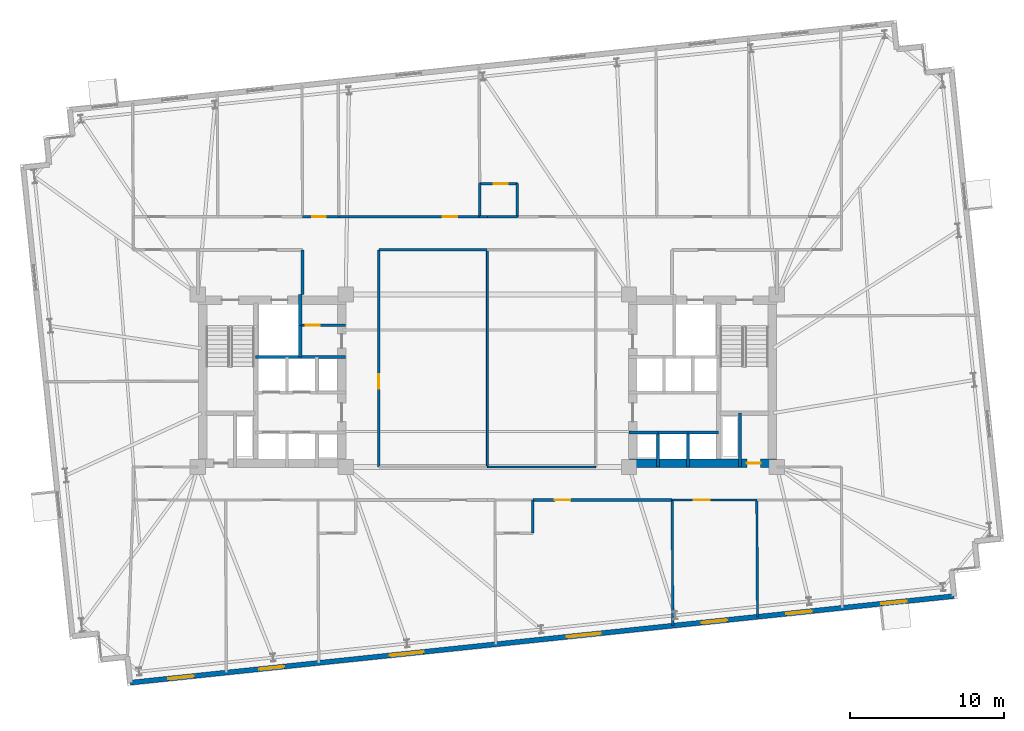
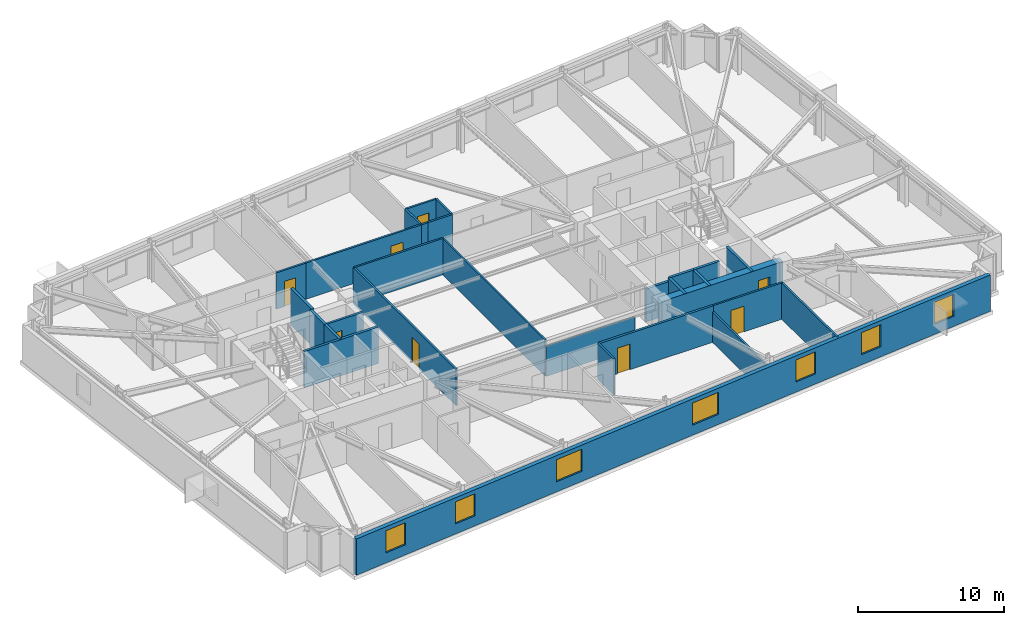
# One storey, part 13 of 17: 29 walls, 8 doors, 7 windows, 15 openings.
"""IFC4 building model written with IfcOpenShell, lengths in metres."""

import ifcopenshell
import ifcopenshell.guid

model = None  # the IFC model being written
_history = None  # IfcOwnerHistory: only IFC2X3 demands one
_inside = {}  # id of a spatial element -> (the spatial element, [elements in it])
_under = {}  # id of a project, library or spatial element -> (it, [spatial elements below it])
_declared = {}  # id of a project -> (the project, [libraries it declares])
_typed = {}  # id of a type object -> (the type object, [elements of that type])
_made_of = {}  # id of a material, layer set ... -> (it, [elements and type objects made of it])


def new_model(schema):
    """Start an empty IFC model of exactly this schema.

    Asked for "IFC4X3", IfcOpenShell would pick the latest addendum, in which some entities
    have other attributes; the version numbers below select the first issue.
    IFC2X3 requires an IfcOwnerHistory on every rooted entity: one is made here for all.
    """
    global model, _history
    if schema == "IFC4X3":
        model = ifcopenshell.file(schema_version=(4, 3, 0, 0))
    else:
        model = ifcopenshell.file(schema=schema)
    _inside.clear()
    _under.clear()
    _declared.clear()
    _typed.clear()
    _made_of.clear()
    _history = None
    if model.schema == "IFC2X3":
        org = make("IfcOrganization", Name="unknown")
        user = make(
            "IfcPersonAndOrganization",
            ThePerson=make("IfcPerson", FamilyName="unknown"),
            TheOrganization=org,
        )
        app = make(
            "IfcApplication",
            ApplicationDeveloper=org,
            Version="unknown",
            ApplicationFullName="unknown",
            ApplicationIdentifier="unknown",
        )
        _history = make(
            "IfcOwnerHistory",
            OwningUser=user,
            OwningApplication=app,
            ChangeAction="ADDED",
            CreationDate=0,
        )
    return model


def make(cls, **values):
    """One entity of the class cls with the attributes given. An attribute that is None is left unset."""
    return model.create_entity(
        cls, **{name: value for name, value in values.items() if value is not None}
    )


def rooted(cls, **values):
    """An entity with a GlobalId (a new one), such as an element, a storey or a relation."""
    return make(cls, GlobalId=ifcopenshell.guid.new(), OwnerHistory=_history, **values)


def si_unit(unit_type, name, prefix=None):
    """IfcSIUnit, for example si_unit("LENGTHUNIT", "METRE", prefix="MILLI")."""
    return make("IfcSIUnit", UnitType=unit_type, Prefix=prefix, Name=name)


def assignment(units):
    """IfcUnitAssignment: the units of a project."""
    return None if units is None else make("IfcUnitAssignment", Units=units)


def point(xyz):
    """IfcCartesianPoint."""
    return None if xyz is None else make("IfcCartesianPoint", Coordinates=xyz)


def direction(xyz):
    """IfcDirection."""
    return None if xyz is None else make("IfcDirection", DirectionRatios=xyz)


def frame(location, z_axis=None, x_axis=None):
    """IfcAxis2Placement3D, a coordinate frame: its origin and axes. An axis left out is left unset."""
    return make(
        "IfcAxis2Placement3D",
        Location=point(location),
        Axis=direction(z_axis),
        RefDirection=direction(x_axis),
    )


def frame_2d(location, x_axis=None):
    """IfcAxis2Placement2D, a coordinate frame in the plane: its origin and x axis."""
    return make(
        "IfcAxis2Placement2D", Location=point(location), RefDirection=direction(x_axis)
    )


def origin():
    """The frame at (0, 0, 0) with its axes left unset."""
    return frame((0.0, 0.0, 0.0))


def place(relative_to, where):
    """IfcLocalPlacement: puts the frame where relative to a parent placement (None: the world)."""
    return make(
        "IfcLocalPlacement", PlacementRelTo=relative_to, RelativePlacement=where
    )


def context(
    kind, dimensions, precision=None, world=None, true_north=None, identifier=None
):
    """IfcGeometricRepresentationContext, for example the 3D "Model" context."""
    return make(
        "IfcGeometricRepresentationContext",
        ContextIdentifier=identifier,
        ContextType=kind,
        CoordinateSpaceDimension=dimensions,
        Precision=precision,
        WorldCoordinateSystem=world,
        TrueNorth=true_north,
    )


def subcontext(parent, identifier, kind, view, scale=None):
    """IfcGeometricRepresentationSubContext, for example "Body" below "Model"."""
    return make(
        "IfcGeometricRepresentationSubContext",
        ContextIdentifier=identifier,
        ContextType=kind,
        ParentContext=parent,
        TargetScale=scale,
        TargetView=view,
    )


def project(units=None, contexts=None):
    """IfcProject with its units and contexts."""
    return rooted(
        "IfcProject",
        Name="project",
        RepresentationContexts=contexts,
        UnitsInContext=assignment(units),
    )


def spatial(cls, under=None, at=None, **own):
    """A site, building, storey or space (cls), placed at a placement, below another one or the project."""
    s = rooted(cls, ObjectPlacement=at, **own)
    if under is not None:
        _under.setdefault(under.id(), (under, []))[1].append(s)
    return s


def profile(cls, at=None, kind="AREA", **sizes):
    """A parametric profile (cls). Its sizes go by their IFC names, for example OverallWidth=200.0."""
    return make(cls, ProfileType=kind, Position=at, **sizes)


def rectangle(**sizes):
    """IfcRectangleProfileDef."""
    return profile("IfcRectangleProfileDef", **sizes)


def extrude(swept, where, along, depth):
    """IfcExtrudedAreaSolid: the profile swept, set in the frame where, extruded along a direction by depth."""
    return make(
        "IfcExtrudedAreaSolid",
        SweptArea=swept,
        Position=where,
        ExtrudedDirection=direction(along),
        Depth=depth,
    )


def shape(context_of_items, identifier, shape_type, items):
    """IfcShapeRepresentation: the items that make up one representation, for example the "Body"."""
    return make(
        "IfcShapeRepresentation",
        ContextOfItems=context_of_items,
        RepresentationIdentifier=identifier,
        RepresentationType=shape_type,
        Items=items,
    )


def material(Name=None, Category=None):
    """IfcMaterial."""
    return make("IfcMaterial", Name=Name, Category=Category)


def layer(
    of_material, thickness, ventilated=None, Name=None, Category=None, Priority=None
):
    """IfcMaterialLayer: one layer of a wall or slab, of a material (None: an air gap)."""
    return make(
        "IfcMaterialLayer",
        Material=of_material,
        LayerThickness=thickness,
        IsVentilated=ventilated,
        Name=Name,
        Category=Category,
        Priority=Priority,
    )


def layer_set(layers, Name=None):
    """IfcMaterialLayerSet."""
    return make("IfcMaterialLayerSet", MaterialLayers=layers, LayerSetName=Name)


def made_of(thing, what):
    """Note that an element or type object is made of a material, layer set ...; save() writes the relation."""
    if what is not None:
        _made_of.setdefault(what.id(), (what, []))[1].append(thing)
    return thing


def type_object(cls, material=None, **own):
    """A type object (cls), such as IfcWallType, which elements share."""
    return made_of(rooted(cls, **own), material)


def element(
    cls,
    number,
    at=None,
    inside=None,
    cuts=None,
    type_object=None,
    material=None,
    context=None,
    identifier="Body",
    shape_type=None,
    held_by="IfcProductDefinitionShape",
    body=None,
    shapes=None,
    **own,
):
    """One element of the class cls, such as IfcWall. Its Tag is "e" and its number.

    at: its placement. inside: the storey or other place that contains it. cuts: it is an
    opening in that element (IfcRelVoidsElement). A single representation is given by context,
    identifier, shape_type and body (its items); several are given by shapes. held_by: the class
    of the entity that holds the representations. save() writes the other relations.
    """
    e = rooted(cls, Tag="e%d" % number, ObjectPlacement=at, **own)
    if body is not None:
        shapes = [shape(context, identifier, shape_type, body)]
    if shapes is not None:
        e.Representation = make(held_by, Representations=shapes)
    if inside is not None:
        _inside.setdefault(inside.id(), (inside, []))[1].append(e)
    if cuts is not None:
        rooted(
            "IfcRelVoidsElement", RelatingBuildingElement=cuts, RelatedOpeningElement=e
        )
    if type_object is not None:
        _typed.setdefault(type_object.id(), (type_object, []))[1].append(e)
    return made_of(e, material)


def fill(opening, filler):
    """IfcRelFillsElement: the door or window that sits in an opening."""
    return rooted(
        "IfcRelFillsElement",
        RelatingOpeningElement=opening,
        RelatedBuildingElement=filler,
    )


def aggregate(whole, parts):
    """IfcRelAggregates: a whole, such as a stair, and the parts it consists of."""
    return rooted("IfcRelAggregates", RelatingObject=whole, RelatedObjects=parts)


def save(model, path):
    """Write the relations noted so far, then the file.

    IfcRelAggregates (storeys below a building ...), IfcRelContainedInSpatialStructure (elements
    in a storey), IfcRelDefinesByType, IfcRelAssociatesMaterial and IfcRelDeclares: one each for
    every whole, place, type object, material and project.
    """
    for whole, parts in _under.values():
        aggregate(whole, parts)
    for where, things in _inside.values():
        rooted(
            "IfcRelContainedInSpatialStructure",
            RelatedElements=things,
            RelatingStructure=where,
        )
    for kind, things in _typed.values():
        rooted("IfcRelDefinesByType", RelatedObjects=things, RelatingType=kind)
    for what, things in _made_of.values():
        rooted("IfcRelAssociatesMaterial", RelatedObjects=things, RelatingMaterial=what)
    for by, libraries in _declared.values():
        rooted("IfcRelDeclares", RelatingContext=by, RelatedDefinitions=libraries)
    model.write(path)


model = new_model("IFC4")

# Units and contexts
model_context = context("Model", 3, precision=1e-05, world=origin(), true_north=direction((0.0, 1.0)))
body_context = subcontext(model_context, "Body", "Model", "MODEL_VIEW")
ifc_project = project(units=[si_unit("LENGTHUNIT", "METRE"), si_unit("AREAUNIT", "SQUARE_METRE"), si_unit("VOLUMEUNIT", "CUBIC_METRE"), si_unit("PLANEANGLEUNIT", "RADIAN"), si_unit("MASSUNIT", "GRAM", prefix="KILO")], contexts=[model_context])

# Site, building, storey
site_placement = place(None, origin())
site = spatial("IfcSite", under=ifc_project, at=site_placement, CompositionType="ELEMENT")
building_placement = place(site_placement, origin())
building = spatial("IfcBuilding", under=site, at=building_placement, Name="Qobustan Lattice House", CompositionType="ELEMENT")
storey_placement = place(building_placement, frame((0.0, 0.0, 105.800048828125)))
storey = spatial("IfcBuildingStorey", under=building, at=storey_placement, Name="L29", CompositionType="ELEMENT", Elevation=105.800048828125)

# Wall, opening, door
ifc_material_1 = material(Name="Concrete C60/75", Category="concrete")
ifc_layer_1 = layer(ifc_material_1, 0.56005859375)
ifc_layer_set_1 = layer_set([ifc_layer_1], Name="Concrete C60/75")
wall_type_1 = type_object("IfcWallType", Name="WAL-CORE-600", PredefinedType="SHEAR", material=ifc_layer_set_1)
wall_1_placement = place(storey_placement, frame((9.199951171875, -5.35009765625, 0.0), z_axis=(0.0, 0.0, 1.0), x_axis=(1.0, 0.0, 0.0)))
wall_1 = element("IfcWall", 1, at=wall_1_placement, inside=storey, type_object=wall_type_1, Name="L29 split-core shear wall CE-S", PredefinedType="SHEAR", context=body_context, shape_type="SweptSolid", body=[
    extrude(rectangle(XDim=9.60009765625, YDim=0.56005859375, at=frame_2d((4.800048828125, 0.0))), origin(), (0.0, 0.0, 1.0), 3.044921875),
])
opening_1_placement = place(wall_1_placement, frame((7.64990234375, 0.0, 0.0)))
opening_1 = element("IfcOpeningElement", 2, at=opening_1_placement, cuts=wall_1, Name="Opening RD-01", PredefinedType="OPENING", context=body_context, shape_type="SweptSolid", body=[
    extrude(rectangle(XDim=0.89990234375, YDim=2.10009765625, at=frame_2d((0.449951171875, 1.050048828125))), frame((0.0, 0.2900390625, 0.0), z_axis=(0.0, -1.0, 0.0), x_axis=(1.0, 0.0, 0.0)), (0.0, 0.0, 1.0), 0.580078125),
])
ifc_material_2 = material(Name="Persian walnut timber and steel frame door", Category="steel")
door_type_1 = type_object("IfcDoorType", Name="DOR-RISER-FD-900x2100", OperationType="NOTDEFINED", PredefinedType="DOOR", material=ifc_material_2)
door_1_placement = place(opening_1_placement, origin())
door_1 = element("IfcDoor", 3, at=door_1_placement, inside=storey, type_object=door_type_1, Name="L29 core service riser access door E", OperationType="SINGLE_SWING_RIGHT", OverallHeight=2.10009765625, OverallWidth=0.89990234375, PredefinedType="DOOR", context=body_context, shape_type="SweptSolid", body=[
    extrude(rectangle(XDim=0.89990234375, YDim=2.10009765625, at=frame_2d((0.449951171875, 1.050048828125))), frame((0.0, 0.02490234375, 0.0), z_axis=(0.0, -1.0, 0.0), x_axis=(1.0, 0.0, 0.0)), (0.0, 0.0, 1.0), 0.050048828125),
])
fill(opening_1, door_1)

# Wall, openings, windows
ifc_material_3 = material(Name="Precast concrete C40/50", Category="concrete")
ifc_layer_2 = layer(ifc_material_3, 0.320068359375)
ifc_layer_set_2 = layer_set([ifc_layer_2], Name="Precast concrete C40/50")
wall_type_2 = type_object("IfcWallType", Name="WAL-EXT-STONE-320", PredefinedType="SOLIDWALL", material=ifc_layer_set_2)
wall_2_placement = place(storey_placement, frame((30.307373046875, -13.985595703125, 0.0), z_axis=(0.0, 0.0, 1.0), x_axis=(-0.994521628355, -0.104531003701, 0.0)))
wall_2 = element("IfcWall", 4, at=wall_2_placement, inside=storey, type_object=wall_type_2, Name="L29 exterior limestone-clad wall 20", PredefinedType="SOLIDWALL", context=body_context, shape_type="SweptSolid", body=[
    extrude(rectangle(XDim=53.800048828125, YDim=0.320068359375, at=frame_2d((26.89990234375, 0.0))), origin(), (0.0, 0.0, 1.0), 3.044921875),
])
opening_2_placement = place(wall_2_placement, frame((3.097900390625, 0.0, 0.85009765625)))
opening_2 = element("IfcOpeningElement", 5, at=opening_2_placement, cuts=wall_2, Name="Opening WN-09", PredefinedType="OPENING", context=body_context, shape_type="SweptSolid", body=[
    extrude(rectangle(XDim=1.64990234375, YDim=1.85009765625, at=frame_2d((0.824951171875, 0.925048828125))), frame((0.0, 0.169921875, 0.0), z_axis=(0.0, -1.0, 0.0), x_axis=(1.0, 0.0, 0.0)), (0.0, 0.0, 1.0), 0.340087890625),
])
opening_3_placement = place(wall_2_placement, frame((9.302490234375, 0.0, 0.85009765625)))
opening_3 = element("IfcOpeningElement", 6, at=opening_3_placement, cuts=wall_2, Name="Opening WN-09", PredefinedType="OPENING", context=body_context, shape_type="SweptSolid", body=[
    extrude(rectangle(XDim=1.64990234375, YDim=1.85009765625, at=frame_2d((0.824951171875, 0.925048828125))), frame((0.0, 0.169921875, 0.0), z_axis=(0.0, -1.0, 0.0), x_axis=(1.0, 0.0, 0.0)), (0.0, 0.0, 1.0), 0.340087890625),
])
opening_4_placement = place(wall_2_placement, frame((14.82666015625, 0.0, 0.85009765625)))
opening_4 = element("IfcOpeningElement", 7, at=opening_4_placement, cuts=wall_2, Name="Opening WN-09", PredefinedType="OPENING", context=body_context, shape_type="SweptSolid", body=[
    extrude(rectangle(XDim=1.64990234375, YDim=1.85009765625, at=frame_2d((0.824951171875, 0.925048828125))), frame((0.0, 0.169921875, 0.0), z_axis=(0.0, -1.0, 0.0), x_axis=(1.0, 0.0, 0.0)), (0.0, 0.0, 1.0), 0.340087890625),
])
opening_5_placement = place(wall_2_placement, frame((23.077880859375, 0.0, 0.85009765625)))
opening_5 = element("IfcOpeningElement", 8, at=opening_5_placement, cuts=wall_2, Name="Opening WN-03", PredefinedType="OPENING", context=body_context, shape_type="SweptSolid", body=[
    extrude(rectangle(XDim=2.199951171875, YDim=1.85009765625, at=frame_2d((1.10009765625, 0.925048828125))), frame((0.0, 0.169921875, 0.0), z_axis=(0.0, -1.0, 0.0), x_axis=(1.0, 0.0, 0.0)), (0.0, 0.0, 1.0), 0.340087890625),
])
opening_6_placement = place(wall_2_placement, frame((34.646484375, 0.0, 0.85009765625)))
opening_6 = element("IfcOpeningElement", 9, at=opening_6_placement, cuts=wall_2, Name="Opening WN-03", PredefinedType="OPENING", context=body_context, shape_type="SweptSolid", body=[
    extrude(rectangle(XDim=2.199951171875, YDim=1.85009765625, at=frame_2d((1.10009765625, 0.925048828125))), frame((0.0, 0.169921875, 0.0), z_axis=(0.0, -1.0, 0.0), x_axis=(1.0, 0.0, 0.0)), (0.0, 0.0, 1.0), 0.340087890625),
])
opening_7_placement = place(wall_2_placement, frame((43.72802734375, 0.0, 0.85009765625)))
opening_7 = element("IfcOpeningElement", 10, at=opening_7_placement, cuts=wall_2, Name="Opening WN-09", PredefinedType="OPENING", context=body_context, shape_type="SweptSolid", body=[
    extrude(rectangle(XDim=1.64990234375, YDim=1.85009765625, at=frame_2d((0.824951171875, 0.925048828125))), frame((0.0, 0.169921875, 0.0), z_axis=(0.0, -1.0, 0.0), x_axis=(1.0, 0.0, 0.0)), (0.0, 0.0, 1.0), 0.340087890625),
])
opening_8_placement = place(wall_2_placement, frame((49.652587890625, 0.0, 0.85009765625)))
opening_8 = element("IfcOpeningElement", 11, at=opening_8_placement, cuts=wall_2, Name="Opening WN-09", PredefinedType="OPENING", context=body_context, shape_type="SweptSolid", body=[
    extrude(rectangle(XDim=1.64990234375, YDim=1.85009765625, at=frame_2d((0.824951171875, 0.925048828125))), frame((0.0, 0.169921875, 0.0), z_axis=(0.0, -1.0, 0.0), x_axis=(1.0, 0.0, 0.0)), (0.0, 0.0, 1.0), 0.340087890625),
])
ifc_material_4 = material(Name="Double-glazed low-E aluminium window", Category="aluminium")
window_type_1 = type_object("IfcWindowType", Name="WIN-STU-1650x1850", PartitioningType="SINGLE_PANEL", PredefinedType="WINDOW", material=ifc_material_4)
window_1_placement = place(opening_2_placement, origin())
window_1 = element("IfcWindow", 12, at=window_1_placement, inside=storey, type_object=window_type_1, Name="L29 Fellows reading room window", OverallHeight=1.85009765625, OverallWidth=1.64990234375, PartitioningType="SINGLE_PANEL", PredefinedType="WINDOW", context=body_context, shape_type="SweptSolid", body=[
    extrude(rectangle(XDim=1.64990234375, YDim=1.85009765625, at=frame_2d((0.824951171875, 0.925048828125))), frame((0.0, 0.030029296875, 0.0), z_axis=(0.0, -1.0, 0.0), x_axis=(1.0, 0.0, 0.0)), (0.0, 0.0, 1.0), 0.06005859375),
])
fill(opening_2, window_1)
window_2_placement = place(opening_3_placement, origin())
window_2 = element("IfcWindow", 13, at=window_2_placement, inside=storey, type_object=window_type_1, Name="L29 Academic seminar room window", OverallHeight=1.85009765625, OverallWidth=1.64990234375, PartitioningType="SINGLE_PANEL", PredefinedType="WINDOW", context=body_context, shape_type="SweptSolid", body=[
    extrude(rectangle(XDim=1.64990234375, YDim=1.85009765625, at=frame_2d((0.824951171875, 0.925048828125))), frame((0.0, 0.030029296875, 0.0), z_axis=(0.0, -1.0, 0.0), x_axis=(1.0, 0.0, 0.0)), (0.0, 0.0, 1.0), 0.06005859375),
])
fill(opening_3, window_2)
window_3_placement = place(opening_4_placement, origin())
window_3 = element("IfcWindow", 14, at=window_3_placement, inside=storey, type_object=window_type_1, Name="L29 Group study room window", OverallHeight=1.85009765625, OverallWidth=1.64990234375, PartitioningType="SINGLE_PANEL", PredefinedType="WINDOW", context=body_context, shape_type="SweptSolid", body=[
    extrude(rectangle(XDim=1.64990234375, YDim=1.85009765625, at=frame_2d((0.824951171875, 0.925048828125))), frame((0.0, 0.030029296875, 0.0), z_axis=(0.0, -1.0, 0.0), x_axis=(1.0, 0.0, 0.0)), (0.0, 0.0, 1.0), 0.06005859375),
])
fill(opening_4, window_3)
window_4_placement = place(opening_7_placement, origin())
window_4 = element("IfcWindow", 15, at=window_4_placement, inside=storey, type_object=window_type_1, Name="L29 Focus study room S1B window", OverallHeight=1.85009765625, OverallWidth=1.64990234375, PartitioningType="SINGLE_PANEL", PredefinedType="WINDOW", context=body_context, shape_type="SweptSolid", body=[
    extrude(rectangle(XDim=1.64990234375, YDim=1.85009765625, at=frame_2d((0.824951171875, 0.925048828125))), frame((0.0, 0.030029296875, 0.0), z_axis=(0.0, -1.0, 0.0), x_axis=(1.0, 0.0, 0.0)), (0.0, 0.0, 1.0), 0.06005859375),
])
fill(opening_7, window_4)
window_5_placement = place(opening_8_placement, origin())
window_5 = element("IfcWindow", 16, at=window_5_placement, inside=storey, type_object=window_type_1, Name="L29 Focus study room S1A window", OverallHeight=1.85009765625, OverallWidth=1.64990234375, PartitioningType="SINGLE_PANEL", PredefinedType="WINDOW", context=body_context, shape_type="SweptSolid", body=[
    extrude(rectangle(XDim=1.64990234375, YDim=1.85009765625, at=frame_2d((0.824951171875, 0.925048828125))), frame((0.0, 0.030029296875, 0.0), z_axis=(0.0, -1.0, 0.0), x_axis=(1.0, 0.0, 0.0)), (0.0, 0.0, 1.0), 0.06005859375),
])
fill(opening_8, window_5)
ifc_material_5 = material(Name="Double-glazed low-E aluminium window", Category="aluminium")
window_type_2 = type_object("IfcWindowType", Name="WIN-WIDE-2200x1850", PartitioningType="SINGLE_PANEL", PredefinedType="WINDOW", material=ifc_material_5)
window_6_placement = place(opening_5_placement, origin())
window_6 = element("IfcWindow", 17, at=window_6_placement, inside=storey, type_object=window_type_2, Name="L29 Kitchenette and studio apartment L29-S3 window", OverallHeight=1.85009765625, OverallWidth=2.199951171875, PartitioningType="SINGLE_PANEL", PredefinedType="WINDOW", context=body_context, shape_type="SweptSolid", body=[
    extrude(rectangle(XDim=2.199951171875, YDim=1.85009765625, at=frame_2d((1.10009765625, 0.925048828125))), frame((0.0, 0.030029296875, 0.0), z_axis=(0.0, -1.0, 0.0), x_axis=(1.0, 0.0, 0.0)), (0.0, 0.0, 1.0), 0.06005859375),
])
fill(opening_5, window_6)
window_7_placement = place(opening_6_placement, origin())
window_7 = element("IfcWindow", 18, at=window_7_placement, inside=storey, type_object=window_type_2, Name="L29 Kitchenette and studio apartment L29-S2 window", OverallHeight=1.85009765625, OverallWidth=2.199951171875, PartitioningType="SINGLE_PANEL", PredefinedType="WINDOW", context=body_context, shape_type="SweptSolid", body=[
    extrude(rectangle(XDim=2.199951171875, YDim=1.85009765625, at=frame_2d((1.10009765625, 0.925048828125))), frame((0.0, 0.030029296875, 0.0), z_axis=(0.0, -1.0, 0.0), x_axis=(1.0, 0.0, 0.0)), (0.0, 0.0, 1.0), 0.06005859375),
])
fill(opening_6, window_7)

# Wall, opening, door
ifc_material_6 = material(Name="Gypsum fireboard acoustic partition", Category="gypsum")
ifc_layer_3 = layer(ifc_material_6, 0.179931640625)
ifc_layer_set_3 = layer_set([ifc_layer_3], Name="Gypsum fireboard acoustic partition")
wall_type_3 = type_object("IfcWallType", Name="WAL-FIRE-180", PredefinedType="PARTITIONING", material=ifc_layer_set_3)
wall_3_placement = place(storey_placement, frame((-9.199951171875, 3.60009765625, 0.0), z_axis=(0.0, 0.0, 1.0), x_axis=(-1.0, 0.0, 0.0)))
wall_3 = element("IfcWall", 19, at=wall_3_placement, inside=storey, type_object=wall_type_3, Name="L29 interior partition 7", PredefinedType="PARTITIONING", context=body_context, shape_type="SweptSolid", body=[
    extrude(rectangle(XDim=2.949951171875, YDim=0.179931640625, at=frame_2d((1.47509765625, 0.0))), origin(), (0.0, 0.0, 1.0), 3.044921875),
])
opening_9_placement = place(wall_3_placement, frame((1.699951171875, 0.0, 0.0)))
opening_9 = element("IfcOpeningElement", 20, at=opening_9_placement, cuts=wall_3, Name="Opening RD-01", PredefinedType="OPENING", context=body_context, shape_type="SweptSolid", body=[
    extrude(rectangle(XDim=0.89990234375, YDim=2.10009765625, at=frame_2d((0.449951171875, 1.050048828125))), frame((0.0, 0.099853515625, 0.0), z_axis=(0.0, -1.0, 0.0), x_axis=(1.0, 0.0, 0.0)), (0.0, 0.0, 1.0), 0.199951171875),
])
door_2_placement = place(opening_9_placement, origin())
door_2 = element("IfcDoor", 21, at=door_2_placement, inside=storey, type_object=door_type_1, Name="L29 Core utility lobby to Cleaner store door", OperationType="SINGLE_SWING_RIGHT", OverallHeight=2.10009765625, OverallWidth=0.89990234375, PredefinedType="DOOR", context=body_context, shape_type="SweptSolid", body=[
    extrude(rectangle(XDim=0.89990234375, YDim=2.10009765625, at=frame_2d((0.449951171875, 1.050048828125))), frame((0.0, 0.02490234375, 0.0), z_axis=(0.0, -1.0, 0.0), x_axis=(1.0, 0.0, 0.0)), (0.0, 0.0, 1.0), 0.050048828125),
])
fill(opening_9, door_2)

wall_4_placement = place(storey_placement, frame((12.0, -7.75, 0.0), z_axis=(0.0, 0.0, 1.0), x_axis=(-1.0, 0.0, 0.0)))
wall_4 = element("IfcWall", 22, at=wall_4_placement, inside=storey, type_object=wall_type_3, Name="L29 interior partition 62", PredefinedType="PARTITIONING", context=body_context, shape_type="SweptSolid", body=[
    extrude(rectangle(XDim=9.050048828125, YDim=0.179931640625, at=frame_2d((4.52490234375, 0.0))), origin(), (0.0, 0.0, 1.0), 3.044921875),
])
opening_10_placement = place(wall_4_placement, frame((6.60888671875, 0.0, 0.0)))
opening_10 = element("IfcOpeningElement", 23, at=opening_10_placement, cuts=wall_4, Name="Opening FD-02", PredefinedType="OPENING", context=body_context, shape_type="SweptSolid", body=[
    extrude(rectangle(XDim=1.0, YDim=2.14990234375, at=frame_2d((0.5, 1.074951171875))), frame((0.0, 0.099853515625, 0.0), z_axis=(0.0, -1.0, 0.0), x_axis=(1.0, 0.0, 0.0)), (0.0, 0.0, 1.0), 0.199951171875),
])
ifc_material_7 = material(Name="Persian walnut timber and steel frame door", Category="steel")
door_type_2 = type_object("IfcDoorType", Name="DOR-UNIT-FD-1000x2150", OperationType="NOTDEFINED", PredefinedType="DOOR", material=ifc_material_7)
door_3_placement = place(opening_10_placement, origin())
door_3 = element("IfcDoor", 24, at=door_3_placement, inside=storey, type_object=door_type_2, Name="L29 South-east floor corridor to Kitchenette and studio apartment L29-S3 door", OperationType="SINGLE_SWING_RIGHT", OverallHeight=2.14990234375, OverallWidth=1.0, PredefinedType="DOOR", context=body_context, shape_type="SweptSolid", body=[
    extrude(rectangle(XDim=1.0, YDim=2.14990234375, at=frame_2d((0.5, 1.074951171875))), frame((0.0, 0.02490234375, 0.0), z_axis=(0.0, -1.0, 0.0), x_axis=(1.0, 0.0, 0.0)), (0.0, 0.0, 1.0), 0.050048828125),
])
fill(opening_10, door_3)

# Walls
ifc_material_8 = material(Name="Lightweight acoustic stud partition", Category="gypsum")
ifc_layer_4 = layer(ifc_material_8, 0.125)
ifc_layer_set_4 = layer_set([ifc_layer_4], Name="Lightweight acoustic stud partition")
wall_type_4 = type_object("IfcWallType", Name="WAL-PART-125", PredefinedType="PARTITIONING", material=ifc_layer_set_4)
wall_5_placement = place(storey_placement, frame((0.0, -5.60009765625, 0.0), z_axis=(0.0, 0.0, 1.0), x_axis=(1.0, 0.0, 0.0)))
element("IfcWall", 25, at=wall_5_placement, inside=storey, type_object=wall_type_4, Name="L29 interior partition 66", PredefinedType="PARTITIONING", context=body_context, shape_type="SweptSolid", body=[
    extrude(rectangle(XDim=7.050048828125, YDim=0.125, at=frame_2d((3.52490234375, 0.0))), origin(), (0.0, 0.0, 1.0), 2.530029296875),
])
wall_6_placement = place(storey_placement, frame((0.0, 8.5, 0.0), z_axis=(0.0, 0.0, 1.0), x_axis=(0.0, -1.0, 0.0)))
element("IfcWall", 26, at=wall_6_placement, inside=storey, type_object=wall_type_4, Name="L29 interior partition 95", PredefinedType="PARTITIONING", context=body_context, shape_type="SweptSolid", body=[
    extrude(rectangle(XDim=14.10009765625, YDim=0.125, at=frame_2d((7.050048828125, 0.0))), origin(), (0.0, 0.0, 1.0), 3.044921875),
])

# Wall, opening, door
ifc_material_9 = material(Name="Acoustic twin-stud gypsum partition", Category="gypsum")
ifc_layer_5 = layer(ifc_material_9, 0.14990234375)
ifc_layer_set_5 = layer_set([ifc_layer_5], Name="Acoustic twin-stud gypsum partition")
wall_type_5 = type_object("IfcWallType", Name="WAL-PART-150", PredefinedType="PARTITIONING", material=ifc_layer_set_5)
wall_7_placement = place(storey_placement, frame((-9.64990234375, 10.64990234375, 0.0), z_axis=(0.0, 0.0, 1.0), x_axis=(1.0, 0.0, 0.0)))
wall_7 = element("IfcWall", 27, at=wall_7_placement, inside=storey, type_object=wall_type_5, Name="L29 interior partition 42", PredefinedType="PARTITIONING", context=body_context, shape_type="SweptSolid", body=[
    extrude(rectangle(XDim=9.14990234375, YDim=0.14990234375, at=frame_2d((4.574951171875, 0.0))), origin(), (0.0, 0.0, 1.0), 3.044921875),
])
opening_11_placement = place(wall_7_placement, frame((6.739990234375, 0.0, 0.0)))
opening_11 = element("IfcOpeningElement", 28, at=opening_11_placement, cuts=wall_7, Name="Opening ID-01", PredefinedType="OPENING", context=body_context, shape_type="SweptSolid", body=[
    extrude(rectangle(XDim=0.949951171875, YDim=2.10009765625, at=frame_2d((0.47509765625, 1.050048828125))), frame((0.0, 0.0849609375, 0.0), z_axis=(0.0, -1.0, 0.0), x_axis=(1.0, 0.0, 0.0)), (0.0, 0.0, 1.0), 0.169921875),
])
ifc_material_10 = material(Name="Persian walnut timber and steel frame door", Category="steel")
door_type_3 = type_object("IfcDoorType", Name="DOR-ROOM-950x2100", OperationType="NOTDEFINED", PredefinedType="DOOR", material=ifc_material_10)
door_4_placement = place(opening_11_placement, origin())
door_4 = element("IfcDoor", 29, at=door_4_placement, inside=storey, type_object=door_type_3, Name="L29 North-west floor corridor to Laundry utility room door", OperationType="SINGLE_SWING_RIGHT", OverallHeight=2.10009765625, OverallWidth=0.949951171875, PredefinedType="DOOR", context=body_context, shape_type="SweptSolid", body=[
    extrude(rectangle(XDim=0.949951171875, YDim=2.10009765625, at=frame_2d((0.47509765625, 1.050048828125))), frame((0.0, 0.02490234375, 0.0), z_axis=(0.0, -1.0, 0.0), x_axis=(1.0, 0.0, 0.0)), (0.0, 0.0, 1.0), 0.050048828125),
])
fill(opening_11, door_4)

# Wall
wall_8_placement = place(storey_placement, frame((0.0, 8.5, 0.0), z_axis=(0.0, 0.0, 1.0), x_axis=(-1.0, 0.0, 0.0)))
element("IfcWall", 30, at=wall_8_placement, inside=storey, type_object=wall_type_5, Name="L29 interior partition 44", PredefinedType="PARTITIONING", context=body_context, shape_type="SweptSolid", body=[
    extrude(rectangle(XDim=7.050048828125, YDim=0.14990234375, at=frame_2d((3.52490234375, 0.0))), origin(), (0.0, 0.0, 1.0), 3.044921875),
])

# Wall, opening, door
wall_9_placement = place(storey_placement, frame((17.5, -7.75, 0.0), z_axis=(0.0, 0.0, 1.0), x_axis=(-1.0, 0.0, 0.0)))
wall_9 = element("IfcWall", 31, at=wall_9_placement, inside=storey, type_object=wall_type_5, Name="L29 interior partition 64", PredefinedType="PARTITIONING", context=body_context, shape_type="SweptSolid", body=[
    extrude(rectangle(XDim=5.5, YDim=0.14990234375, at=frame_2d((2.75, 0.0))), origin(), (0.0, 0.0, 1.0), 3.044921875),
])
opening_12_placement = place(wall_9_placement, frame((3.047607421875, 0.0, 0.0)))
opening_12 = element("IfcOpeningElement", 32, at=opening_12_placement, cuts=wall_9, Name="Opening ID-02", PredefinedType="OPENING", context=body_context, shape_type="SweptSolid", body=[
    extrude(rectangle(XDim=1.050048828125, YDim=2.14990234375, at=frame_2d((0.52490234375, 1.074951171875))), frame((0.0, 0.0849609375, 0.0), z_axis=(0.0, -1.0, 0.0), x_axis=(1.0, 0.0, 0.0)), (0.0, 0.0, 1.0), 0.169921875),
])
ifc_material_11 = material(Name="Persian walnut timber and steel frame door", Category="steel")
door_type_4 = type_object("IfcDoorType", Name="DOR-STUDY-1050x2150", OperationType="NOTDEFINED", PredefinedType="DOOR", material=ifc_material_11)
door_5_placement = place(opening_12_placement, origin())
door_5 = element("IfcDoor", 33, at=door_5_placement, inside=storey, type_object=door_type_4, Name="L29 South-east floor corridor to Group study room door", OperationType="SINGLE_SWING_LEFT", OverallHeight=2.14990234375, OverallWidth=1.050048828125, PredefinedType="DOOR", context=body_context, shape_type="SweptSolid", body=[
    extrude(rectangle(XDim=1.050048828125, YDim=2.14990234375, at=frame_2d((0.52490234375, 1.074951171875))), frame((0.0, 0.02490234375, 0.0), z_axis=(0.0, -1.0, 0.0), x_axis=(1.0, 0.0, 0.0)), (0.0, 0.0, 1.0), 0.050048828125),
])
fill(opening_12, door_5)

wall_10_placement = place(storey_placement, frame((-7.050048828125, 8.5, 0.0), z_axis=(0.0, 0.0, 1.0), x_axis=(0.0, -1.0, 0.0)))
wall_10 = element("IfcWall", 34, at=wall_10_placement, inside=storey, type_object=wall_type_5, Name="L29 interior partition 67", PredefinedType="PARTITIONING", context=body_context, shape_type="SweptSolid", body=[
    extrude(rectangle(XDim=14.10009765625, YDim=0.14990234375, at=frame_2d((7.050048828125, 0.0))), origin(), (0.0, 0.0, 1.0), 3.044921875),
])
opening_13_placement = place(wall_10_placement, frame((8.07373046875, 0.0, 0.0)))
opening_13 = element("IfcOpeningElement", 35, at=opening_13_placement, cuts=wall_10, Name="Opening ID-01", PredefinedType="OPENING", context=body_context, shape_type="SweptSolid", body=[
    extrude(rectangle(XDim=0.949951171875, YDim=2.10009765625, at=frame_2d((0.47509765625, 1.050048828125))), frame((0.0, 0.0849609375, 0.0), z_axis=(0.0, -1.0, 0.0), x_axis=(1.0, 0.0, 0.0)), (0.0, 0.0, 1.0), 0.169921875),
])
door_6_placement = place(opening_13_placement, origin())
door_6 = element("IfcDoor", 36, at=door_6_placement, inside=storey, type_object=door_type_3, Name="L29 West floor link corridor to Design studio workspace door", OperationType="SINGLE_SWING_LEFT", OverallHeight=2.10009765625, OverallWidth=0.949951171875, PredefinedType="DOOR", context=body_context, shape_type="SweptSolid", body=[
    extrude(rectangle(XDim=0.949951171875, YDim=2.10009765625, at=frame_2d((0.47509765625, 1.050048828125))), frame((0.0, 0.02490234375, 0.0), z_axis=(0.0, -1.0, 0.0), x_axis=(1.0, 0.0, 0.0)), (0.0, 0.0, 1.0), 0.050048828125),
])
fill(opening_13, door_6)

# Walls
wall_11_placement = place(storey_placement, frame((12.0, -7.75, 0.0), z_axis=(0.0, 0.0, 1.0), x_axis=(0.005388497987, -0.999985481939, 0.0)))
element("IfcWall", 37, at=wall_11_placement, inside=storey, type_object=wall_type_5, Name="L29 interior partition 93", PredefinedType="PARTITIONING", context=body_context, shape_type="SweptSolid", body=[
    extrude(rectangle(XDim=8.1552734375, YDim=0.14990234375, at=frame_2d((4.07763671875, 0.0))), origin(), (0.0, 0.0, 1.0), 2.530029296875),
])
wall_12_placement = place(storey_placement, frame((17.5, -7.75, 0.0), z_axis=(0.0, 0.0, 1.0), x_axis=(0.005799618919, -0.999983182069, 0.0)))
element("IfcWall", 38, at=wall_12_placement, inside=storey, type_object=wall_type_5, Name="L29 interior partition 94", PredefinedType="PARTITIONING", context=body_context, shape_type="SweptSolid", body=[
    extrude(rectangle(XDim=7.577392578125, YDim=0.14990234375, at=frame_2d((3.78857421875, 0.0))), origin(), (0.0, 0.0, 1.0), 3.044921875),
])
ifc_material_12 = material(Name="Two-hour gypsum fireboard acoustic partition", Category="gypsum")
ifc_layer_6 = layer(ifc_material_12, 0.199951171875)
ifc_layer_set_6 = layer_set([ifc_layer_6], Name="Two-hour gypsum fireboard acoustic partition")
wall_type_6 = type_object("IfcWallType", Name="WAL-PROT-200", PredefinedType="PARTITIONING", material=ifc_layer_set_6)
wall_13_placement = place(storey_placement, frame((-12.0, 5.60009765625, 0.0), z_axis=(0.0, 0.0, 1.0), x_axis=(0.0, 1.0, 0.0)))
element("IfcWall", 39, at=wall_13_placement, inside=storey, type_object=wall_type_6, Name="L29 interior partition 5", PredefinedType="PARTITIONING", context=body_context, shape_type="SweptSolid", body=[
    extrude(rectangle(XDim=2.89990234375, YDim=0.199951171875, at=frame_2d((1.449951171875, 0.0))), origin(), (0.0, 0.0, 1.0), 3.044921875),
])
ifc_material_13 = material(Name="Concrete C40/50", Category="concrete")
ifc_layer_7 = layer(ifc_material_13, 0.199951171875)
ifc_layer_set_7 = layer_set([ifc_layer_7], Name="Concrete C40/50")
wall_type_7 = type_object("IfcWallType", Name="WAL-SHAFT-200", PredefinedType="PARTITIONING", material=ifc_layer_set_7)
wall_14_placement = place(storey_placement, frame((-12.14990234375, 1.550048828125, 0.0), z_axis=(0.0, 0.0, 1.0), x_axis=(0.0, 1.0, 0.0)))
element("IfcWall", 40, at=wall_14_placement, inside=storey, type_object=wall_type_7, Name="L29 interior partition 2", PredefinedType="PARTITIONING", context=body_context, shape_type="SweptSolid", body=[
    extrude(rectangle(XDim=2.050048828125, YDim=0.199951171875, at=frame_2d((1.02490234375, 0.0))), origin(), (0.0, 0.0, 1.0), 3.044921875),
])
wall_15_placement = place(storey_placement, frame((-12.14990234375, 3.60009765625, 0.0), z_axis=(0.0, 0.0, 1.0), x_axis=(0.0, 1.0, 0.0)))
element("IfcWall", 41, at=wall_15_placement, inside=storey, type_object=wall_type_7, Name="L29 interior partition 3", PredefinedType="PARTITIONING", context=body_context, shape_type="SweptSolid", body=[
    extrude(rectangle(XDim=2.0, YDim=0.199951171875, at=frame_2d((1.0, 0.0))), origin(), (0.0, 0.0, 1.0), 3.044921875),
])
wall_16_placement = place(storey_placement, frame((16.39990234375, -2.110107421875, 0.0), z_axis=(0.0, 0.0, 1.0), x_axis=(0.0, -1.0, 0.0)))
element("IfcWall", 42, at=wall_16_placement, inside=storey, type_object=wall_type_7, Name="L29 interior partition 20", PredefinedType="PARTITIONING", context=body_context, shape_type="SweptSolid", body=[
    extrude(rectangle(XDim=3.489990234375, YDim=0.199951171875, at=frame_2d((1.7451171875, 0.0))), origin(), (0.0, 0.0, 1.0), 3.044921875),
])
wall_17_placement = place(storey_placement, frame((9.199951171875, -3.35009765625, 0.0), z_axis=(0.0, 0.0, 1.0), x_axis=(1.0, 0.0, 0.0)))
element("IfcWall", 43, at=wall_17_placement, inside=storey, type_object=wall_type_7, Name="L29 interior partition 26", PredefinedType="PARTITIONING", context=body_context, shape_type="SweptSolid", body=[
    extrude(rectangle(XDim=1.880126953125, YDim=0.199951171875, at=frame_2d((0.93994140625, 0.0))), origin(), (0.0, 0.0, 1.0), 2.760009765625),
])
wall_18_placement = place(storey_placement, frame((11.080078125, -3.35009765625, 0.0), z_axis=(0.0, 0.0, 1.0), x_axis=(1.0, 0.0, 0.0)))
element("IfcWall", 44, at=wall_18_placement, inside=storey, type_object=wall_type_7, Name="L29 interior partition 27", PredefinedType="PARTITIONING", context=body_context, shape_type="SweptSolid", body=[
    extrude(rectangle(XDim=1.93994140625, YDim=0.199951171875, at=frame_2d((0.969970703125, 0.0))), origin(), (0.0, 0.0, 1.0), 3.044921875),
])
wall_19_placement = place(storey_placement, frame((13.02001953125, -3.35009765625, 0.0), z_axis=(0.0, 0.0, 1.0), x_axis=(1.0, 0.0, 0.0)))
element("IfcWall", 45, at=wall_19_placement, inside=storey, type_object=wall_type_7, Name="L29 interior partition 28", PredefinedType="PARTITIONING", context=body_context, shape_type="SweptSolid", body=[
    extrude(rectangle(XDim=2.0, YDim=0.199951171875, at=frame_2d((1.0, 0.0))), origin(), (0.0, 0.0, 1.0), 3.044921875),
])
for number, where, z_axis, x_axis, name in (
    (46, (11.080078125, -5.60009765625, 0.0), (0.0, 0.0, 1.0), (0.0, 1.0, 0.0), "L29 interior partition 33"),
    (47, (13.02001953125, -5.60009765625, 0.0), (0.0, 0.0, 1.0), (0.0, 1.0, 0.0), "L29 interior partition 34"),
):
    element("IfcWall", number, at=place(storey_placement, frame(where, z_axis=z_axis, x_axis=x_axis)), inside=storey, type_object=wall_type_7, Name=name, PredefinedType="PARTITIONING", context=body_context, shape_type="SweptSolid", body=[
        extrude(rectangle(XDim=2.25, YDim=0.199951171875, at=frame_2d((1.125, 0.0))), origin(), (0.0, 0.0, 1.0), 3.044921875),
    ])
wall_20_placement = place(storey_placement, frame((-15.050048828125, 1.550048828125, 0.0), z_axis=(0.0, 0.0, 1.0), x_axis=(1.0, 0.0, 0.0)))
element("IfcWall", 48, at=wall_20_placement, inside=storey, type_object=wall_type_7, Name="L29 interior partition 96", PredefinedType="PARTITIONING", context=body_context, shape_type="SweptSolid", body=[
    extrude(rectangle(XDim=5.85009765625, YDim=0.199951171875, at=frame_2d((2.925048828125, 0.0))), origin(), (0.0, 0.0, 1.0), 3.044921875),
])

# Wall, opening, door
ifc_material_14 = material(Name="Moisture-resistant acoustic plumbing wall", Category="gypsum")
ifc_layer_8 = layer(ifc_material_14, 0.14990234375)
ifc_layer_set_8 = layer_set([ifc_layer_8], Name="Moisture-resistant acoustic plumbing wall")
wall_type_8 = type_object("IfcWallType", Name="WAL-WET-150", PredefinedType="PLUMBINGWALL", material=ifc_layer_set_8)
wall_21_placement = place(storey_placement, frame((-12.0, 10.64990234375, 0.0), z_axis=(0.0, 0.0, 1.0), x_axis=(1.0, 0.0, 0.0)))
wall_21 = element("IfcWall", 49, at=wall_21_placement, inside=storey, type_object=wall_type_8, Name="L29 interior partition 41", PredefinedType="PLUMBINGWALL", context=body_context, shape_type="SweptSolid", body=[
    extrude(rectangle(XDim=2.35009765625, YDim=0.14990234375, at=frame_2d((1.175048828125, 0.0))), origin(), (0.0, 0.0, 1.0), 3.044921875),
])
opening_14_placement = place(wall_21_placement, frame((0.6162109375, 0.0, 0.0)))
opening_14 = element("IfcOpeningElement", 50, at=opening_14_placement, cuts=wall_21, Name="Opening WD-01", PredefinedType="OPENING", context=body_context, shape_type="SweptSolid", body=[
    extrude(rectangle(XDim=0.89990234375, YDim=2.10009765625, at=frame_2d((0.449951171875, 1.050048828125))), frame((0.0, 0.0849609375, 0.0), z_axis=(0.0, -1.0, 0.0), x_axis=(1.0, 0.0, 0.0)), (0.0, 0.0, 1.0), 0.169921875),
])
ifc_material_15 = material(Name="Persian walnut timber and steel frame door", Category="steel")
door_type_5 = type_object("IfcDoorType", Name="DOR-WET-900x2100", OperationType="NOTDEFINED", PredefinedType="DOOR", material=ifc_material_15)
door_7_placement = place(opening_14_placement, origin())
door_7 = element("IfcDoor", 51, at=door_7_placement, inside=storey, type_object=door_type_5, Name="L29 North-west floor corridor to Accessible WC door", OperationType="SINGLE_SWING_LEFT", OverallHeight=2.10009765625, OverallWidth=0.89990234375, PredefinedType="DOOR", context=body_context, shape_type="SweptSolid", body=[
    extrude(rectangle(XDim=0.89990234375, YDim=2.10009765625, at=frame_2d((0.449951171875, 1.050048828125))), frame((0.0, 0.02490234375, 0.0), z_axis=(0.0, -1.0, 0.0), x_axis=(1.0, 0.0, 0.0)), (0.0, 0.0, 1.0), 0.050048828125),
])
fill(opening_14, door_7)

# Walls
wall_22_placement = place(storey_placement, frame((-0.5, 10.64990234375, 0.0), z_axis=(0.0, 0.0, 1.0), x_axis=(1.0, 0.0, 0.0)))
element("IfcWall", 52, at=wall_22_placement, inside=storey, type_object=wall_type_8, Name="L29 interior partition 43", PredefinedType="PLUMBINGWALL", context=body_context, shape_type="SweptSolid", body=[
    extrude(rectangle(XDim=0.5, YDim=0.14990234375, at=frame_2d((0.25, 0.0))), origin(), (0.0, 0.0, 1.0), 3.044921875),
])
wall_23_placement = place(storey_placement, frame((0.0, 10.64990234375, 0.0), z_axis=(0.0, 0.0, 1.0), x_axis=(1.0, 0.0, 0.0)))
element("IfcWall", 53, at=wall_23_placement, inside=storey, type_object=wall_type_8, Name="L29 interior partition 48", PredefinedType="PLUMBINGWALL", context=body_context, shape_type="SweptSolid", body=[
    extrude(rectangle(XDim=1.949951171875, YDim=0.14990234375, at=frame_2d((0.97509765625, 0.0))), origin(), (0.0, 0.0, 1.0), 3.044921875),
])
wall_24_placement = place(storey_placement, frame((-0.5, 12.800048828125, 0.0), z_axis=(0.0, 0.0, 1.0), x_axis=(0.0, -1.0, 0.0)))
element("IfcWall", 54, at=wall_24_placement, inside=storey, type_object=wall_type_8, Name="L29 interior partition 79", PredefinedType="PLUMBINGWALL", context=body_context, shape_type="SweptSolid", body=[
    extrude(rectangle(XDim=2.150146484375, YDim=0.14990234375, at=frame_2d((1.0751953125, 0.0))), origin(), (0.0, 0.0, 1.0), 3.044921875),
])

# Wall, opening, door
wall_25_placement = place(storey_placement, frame((1.949951171875, 12.800048828125, 0.0), z_axis=(0.0, 0.0, 1.0), x_axis=(-1.0, 0.0, 0.0)))
wall_25 = element("IfcWall", 55, at=wall_25_placement, inside=storey, type_object=wall_type_8, Name="L29 interior partition 80", PredefinedType="PLUMBINGWALL", context=body_context, shape_type="SweptSolid", body=[
    extrude(rectangle(XDim=2.449951171875, YDim=0.14990234375, at=frame_2d((1.22509765625, 0.0))), origin(), (0.0, 0.0, 1.0), 3.044921875),
])
opening_15_placement = place(wall_25_placement, frame((0.62890625, 0.0, 0.0)))
opening_15 = element("IfcOpeningElement", 56, at=opening_15_placement, cuts=wall_25, Name="Opening WD-01", PredefinedType="OPENING", context=body_context, shape_type="SweptSolid", body=[
    extrude(rectangle(XDim=0.89990234375, YDim=2.10009765625, at=frame_2d((0.449951171875, 1.050048828125))), frame((0.0, 0.0849609375, 0.0), z_axis=(0.0, -1.0, 0.0), x_axis=(1.0, 0.0, 0.0)), (0.0, 0.0, 1.0), 0.169921875),
])
door_8_placement = place(opening_15_placement, origin())
door_8 = element("IfcDoor", 57, at=door_8_placement, inside=storey, type_object=door_type_5, Name="L29 Kitchenette and studio apartment L29-N3 to En-suite bathroom L29-N3 door", OperationType="SINGLE_SWING_LEFT", OverallHeight=2.10009765625, OverallWidth=0.89990234375, PredefinedType="DOOR", context=body_context, shape_type="SweptSolid", body=[
    extrude(rectangle(XDim=0.89990234375, YDim=2.10009765625, at=frame_2d((0.449951171875, 1.050048828125))), frame((0.0, 0.02490234375, 0.0), z_axis=(0.0, -1.0, 0.0), x_axis=(1.0, 0.0, 0.0)), (0.0, 0.0, 1.0), 0.050048828125),
])
fill(opening_15, door_8)

# Walls
wall_26_placement = place(storey_placement, frame((1.949951171875, 10.64990234375, 0.0), z_axis=(0.0, 0.0, 1.0), x_axis=(0.0, 1.0, 0.0)))
element("IfcWall", 58, at=wall_26_placement, inside=storey, type_object=wall_type_8, Name="L29 interior partition 81", PredefinedType="PLUMBINGWALL", context=body_context, shape_type="SweptSolid", body=[
    extrude(rectangle(XDim=2.150146484375, YDim=0.14990234375, at=frame_2d((1.0751953125, 0.0))), origin(), (0.0, 0.0, 1.0), 3.044921875),
])
wall_27_placement = place(storey_placement, frame((2.949951171875, -9.89990234375, 0.0), z_axis=(0.0, 0.0, 1.0), x_axis=(0.0, 1.0, 0.0)))
element("IfcWall", 59, at=wall_27_placement, inside=storey, type_object=wall_type_8, Name="L29 interior partition 92", PredefinedType="PLUMBINGWALL", context=body_context, shape_type="SweptSolid", body=[
    extrude(rectangle(XDim=2.14990234375, YDim=0.14990234375, at=frame_2d((1.074951171875, 0.0))), origin(), (0.0, 0.0, 1.0), 3.044921875),
])

save(model, "model.ifc")
